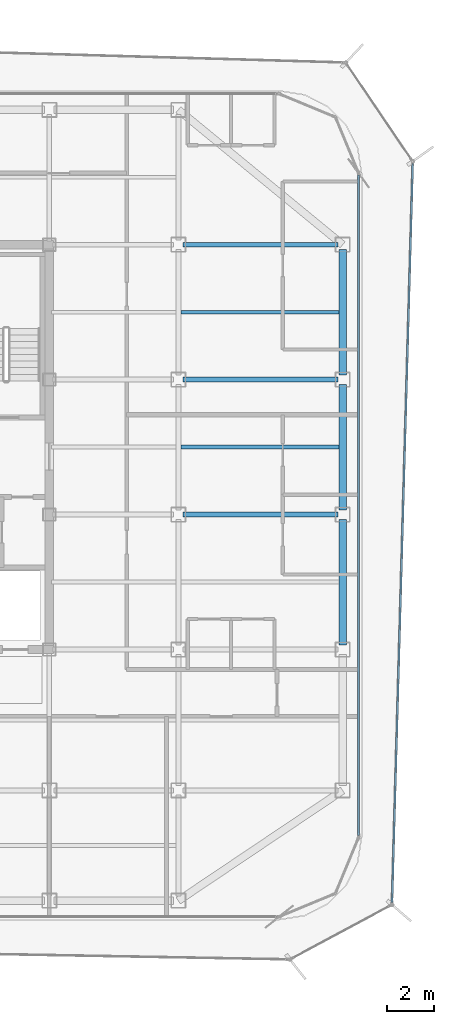
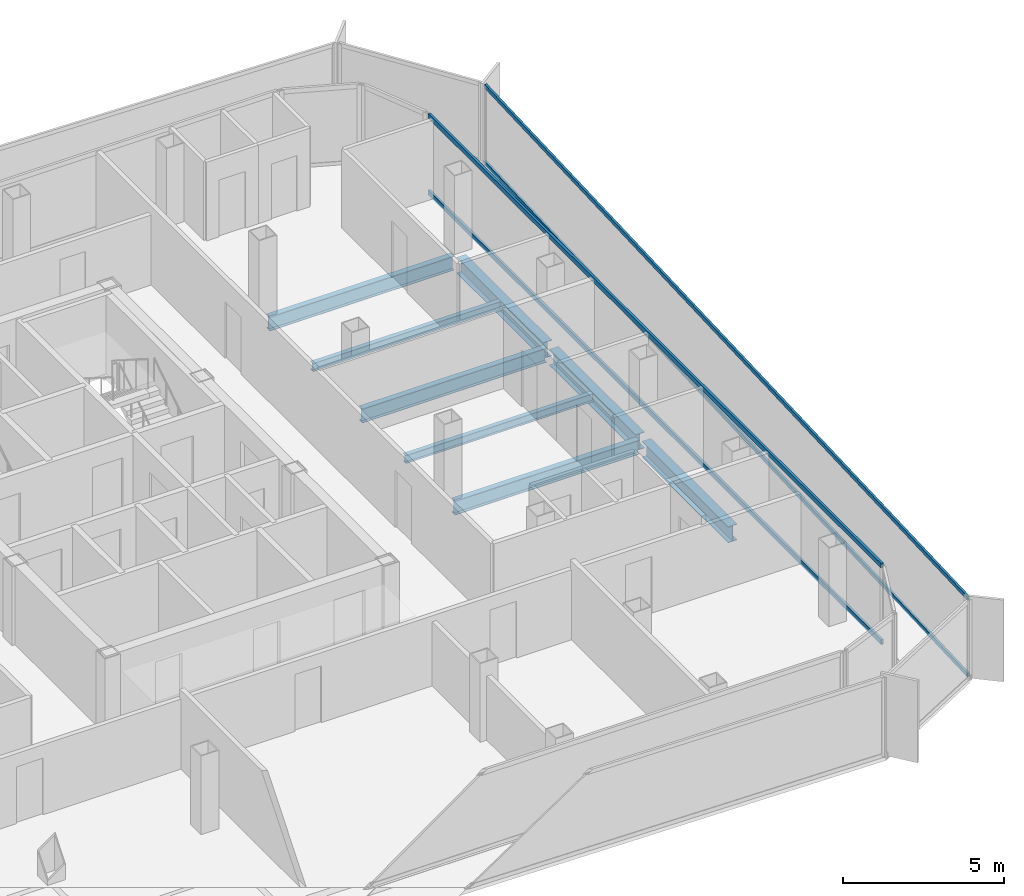
# One storey, part 5 of 14: 8 beams, 4 members, 2 elements without a shape of their own.
"""IFC4 building model written with IfcOpenShell, lengths in metres."""

from ifc_helpers import new_model, si_unit, direction, frame, origin, origin_2d, place, context, subcontext, project, spatial, hollow_rectangle, i_section, extrude, source, transform, mapped, material, layer, layer_set, material_profile, profile_set, type_object, element, aggregate, save


model = new_model("IFC4")

# Units and contexts
model_context = context("Model", 3, precision=1e-05, world=origin(), true_north=direction((0.0, 1.0)))
body_context = subcontext(model_context, "Body", "Model", "MODEL_VIEW")
ifc_project = project(units=[si_unit("LENGTHUNIT", "METRE"), si_unit("AREAUNIT", "SQUARE_METRE"), si_unit("VOLUMEUNIT", "CUBIC_METRE"), si_unit("PLANEANGLEUNIT", "RADIAN"), si_unit("MASSUNIT", "GRAM", prefix="KILO")], contexts=[model_context])

# Site, building, storey
site_placement = place(None, origin())
site = spatial("IfcSite", under=ifc_project, at=site_placement, CompositionType="ELEMENT")
building_placement = place(site_placement, origin())
building = spatial("IfcBuilding", under=site, at=building_placement, Name="Kolveth Station Tower", CompositionType="ELEMENT")
storey_placement = place(building_placement, frame((0.0, 0.0, 226.5)))
storey = spatial("IfcBuildingStorey", under=building, at=storey_placement, Name="L64", CompositionType="ELEMENT", Elevation=226.5)

# Beams
ifc_material_1 = material(Name="Steel S355", Category="steel")
ifc_material_profile_1 = material_profile(ifc_material_1, i_section(OverallWidth=0.323974609375, OverallDepth=0.611083984375, WebThickness=0.0126953125, FlangeThickness=0.01904296875, at=origin_2d()), Name="W610x155")
ifc_profile_set_1 = profile_set([ifc_material_profile_1], Name="Steel S355")
beam_type_1 = type_object("IfcBeamType", Name="Beam_SP2", PredefinedType="SPANDREL", material=ifc_profile_set_1)
shared_shape_1 = source(origin(), body_context, "Body", "SweptSolid", [
    extrude(i_section(OverallWidth=0.323974609375, OverallDepth=0.611083984375, WebThickness=0.0126953125, FlangeThickness=0.01904296875, at=origin_2d()), origin(), (0.0, 0.0, 1.0), 5.35009765625),
])
for number, where, z_axis, x_axis, name in (
    (1, (41.0, 11.699951171875, -0.525390625), (0.0, 1.0, 0.0), (-1.0, 0.0, 0.0), "L64 Perimeter Spandrel BM-L64-PE-2"),
    (2, (41.0, 17.449951171875, -0.525390625), (0.0, 1.0, 0.0), (-1.0, 0.0, 0.0), "L64 Perimeter Spandrel BM-L64-PE-3"),
    (3, (41.0, 23.199951171875, -0.525390625), (0.0, 1.0, 0.0), (-1.0, 0.0, 0.0), "L64 Perimeter Spandrel BM-L64-PE-4"),
):
    element("IfcBeam", number, at=place(storey_placement, frame(where, z_axis=z_axis, x_axis=x_axis)), inside=storey, type_object=beam_type_1, Name=name, PredefinedType="SPANDREL", context=body_context, shape_type="MappedRepresentation", body=[
        mapped(shared_shape_1, transform((0.0, 0.0, 0.0), x_axis=(1.0, 0.0, 0.0), y_axis=(0.0, 1.0, 0.0), z_axis=(0.0, 0.0, 1.0), scale=1.0)),
    ])
ifc_material_profile_2 = material_profile(ifc_material_1, i_section(OverallWidth=0.2099609375, OverallDepth=0.537109375, WebThickness=0.010986328125, FlangeThickness=0.017333984375, at=origin_2d()), Name="W530x101")
ifc_profile_set_2 = profile_set([ifc_material_profile_2], Name="Steel S355")
beam_type_2 = type_object("IfcBeamType", Name="Beam_B6", PredefinedType="BEAM", material=ifc_profile_set_2)
shared_shape_2 = source(origin(), body_context, "Body", "SweptSolid", [
    extrude(i_section(OverallWidth=0.2099609375, OverallDepth=0.537109375, WebThickness=0.010986328125, FlangeThickness=0.017333984375, at=origin_2d()), origin(), (0.0, 0.0, 1.0), 6.60009765625),
])
for number, where, z_axis, x_axis, name in (
    (4, (34.199951171875, 17.25, -0.488525390625), (1.0, 0.0, 0.0), (0.0, 1.0, 0.0), "L64 Primary Girder BM-L64-GY172-5"),
    (5, (34.199951171875, 23.0, -0.488525390625), (1.0, 0.0, 0.0), (0.0, 1.0, 0.0), "L64 Primary Girder BM-L64-GY230-5"),
    (6, (34.199951171875, 28.75, -0.488525390625), (1.0, 0.0, 0.0), (0.0, 1.0, 0.0), "L64 Primary Girder BM-L64-GY287-5"),
):
    element("IfcBeam", number, at=place(storey_placement, frame(where, z_axis=z_axis, x_axis=x_axis)), inside=storey, type_object=beam_type_2, Name=name, PredefinedType="BEAM", context=body_context, shape_type="MappedRepresentation", body=[
        mapped(shared_shape_2, transform((0.0, 0.0, 0.0), x_axis=(1.0, 0.0, 0.0), y_axis=(0.0, 1.0, 0.0), z_axis=(0.0, 0.0, 1.0), scale=1.0)),
    ])
ifc_material_profile_3 = material_profile(ifc_material_1, i_section(OverallWidth=0.1650390625, OverallDepth=0.31005859375, WebThickness=0.005859375, FlangeThickness=0.009765625, at=origin_2d()), Name="W310x39")
ifc_profile_set_3 = profile_set([ifc_material_profile_3], Name="Steel S355")
beam_type_3 = type_object("IfcBeamType", Name="Beam_J3", PredefinedType="JOIST", material=ifc_profile_set_3)
shared_shape_3 = source(origin(), body_context, "Body", "SweptSolid", [
    extrude(i_section(OverallWidth=0.1650390625, OverallDepth=0.31005859375, WebThickness=0.005859375, FlangeThickness=0.009765625, at=origin_2d()), origin(), (0.0, 0.0, 1.0), 6.737060546875),
])
for number, where, z_axis, x_axis, name in (
    (7, (34.10302734375, 20.125, -0.375), (1.0, 0.0, 0.0), (0.0, 1.0, 0.0), "L64 Secondary Joist JST-L64-5-4"),
    (8, (34.10302734375, 25.875, -0.375), (1.0, 0.0, 0.0), (0.0, 1.0, 0.0), "L64 Secondary Joist JST-L64-5-5"),
):
    element("IfcBeam", number, at=place(storey_placement, frame(where, z_axis=z_axis, x_axis=x_axis)), inside=storey, type_object=beam_type_3, Name=name, PredefinedType="JOIST", context=body_context, shape_type="MappedRepresentation", body=[
        mapped(shared_shape_3, transform((0.0, 0.0, 0.0), x_axis=(1.0, 0.0, 0.0), y_axis=(0.0, 1.0, 0.0), z_axis=(0.0, 0.0, 1.0), scale=1.0)),
    ])

# Curtain wall, members
ifc_material_2 = material(Name="Aluminium 6063-T6 and triple low-E dark glass", Category="aluminium")
ifc_layer_1 = layer(ifc_material_2, 0.199951171875)
ifc_layer_set_1 = layer_set([ifc_layer_1], Name="Aluminium 6063-T6 and triple low-E dark glass")
curtain_wall_type_1 = type_object("IfcCurtainWallType", Name="CurtainWall_CW-Z3", PredefinedType="NOTDEFINED", material=ifc_layer_set_1)
curtain_wall_1_placement = place(storey_placement, origin())
curtain_wall_1 = element("IfcCurtainWall", 9, at=curtain_wall_1_placement, inside=storey, type_object=curtain_wall_type_1, Name="L64 Inner Thermal Curtain Wall 3", PredefinedType="NOTDEFINED")
ifc_material_3 = material(Name="Black anodized aluminium 6063-T6", Category="aluminium")
ifc_material_profile_4 = material_profile(ifc_material_3, hollow_rectangle(XDim=0.0849609375, YDim=0.179931640625, WallThickness=0.0048828125, at=origin_2d()), Name="ALU-85x180x5")
ifc_profile_set_4 = profile_set([ifc_material_profile_4], Name="Black anodized aluminium 6063-T6")
member_type_1 = type_object("IfcMemberType", Name="Transom_TR3", PredefinedType="USERDEFINED", material=ifc_profile_set_4)
shared_shape_4 = source(origin(), body_context, "Body", "SweptSolid", [
    extrude(hollow_rectangle(XDim=0.0849609375, YDim=0.179931640625, WallThickness=0.0048828125, at=origin_2d()), origin(), (0.0, 0.0, 1.0), 28.130126953125),
])
member_1_placement = place(storey_placement, frame((41.679931640625, 3.5849609375, 0.04248046875), z_axis=(0.0, 1.0, 0.0), x_axis=(-1.0, 0.0, 0.0)))
member_1 = element("IfcMember", 10, at=member_1_placement, type_object=member_type_1, Name="CW-Z3 transom 1.1", ObjectType="TRANSOM", PredefinedType="USERDEFINED", context=body_context, shape_type="MappedRepresentation", body=[
    mapped(shared_shape_4, transform((0.0, 0.0, 0.0), x_axis=(1.0, 0.0, 0.0), y_axis=(0.0, 1.0, 0.0), z_axis=(0.0, 0.0, 1.0), scale=1.0)),
])
member_2_placement = place(storey_placement, frame((41.679931640625, 3.5849609375, 2.9375), z_axis=(0.0, 1.0, 0.0), x_axis=(-1.0, 0.0, 0.0)))
member_2 = element("IfcMember", 11, at=member_2_placement, type_object=member_type_1, Name="CW-Z3 transom 1.2", ObjectType="TRANSOM", PredefinedType="USERDEFINED", context=body_context, shape_type="MappedRepresentation", body=[
    mapped(shared_shape_4, transform((0.0, 0.0, 0.0), x_axis=(1.0, 0.0, 0.0), y_axis=(0.0, 1.0, 0.0), z_axis=(0.0, 0.0, 1.0), scale=1.0)),
])
aggregate(curtain_wall_1, [member_1, member_2])

ifc_material_4 = material(Name="Black anodized aluminium 6063-T6 and dark solar glass", Category="aluminium")
ifc_layer_2 = layer(ifc_material_4, 0.159912109375)
ifc_layer_set_2 = layer_set([ifc_layer_2], Name="Black anodized aluminium 6063-T6 and dark solar glass")
curtain_wall_type_2 = type_object("IfcCurtainWallType", Name="OUTER SKIN CW-OS", PredefinedType="NOTDEFINED", material=ifc_layer_set_2)
curtain_wall_2_placement = place(storey_placement, origin())
curtain_wall_2 = element("IfcCurtainWall", 12, at=curtain_wall_2_placement, inside=storey, type_object=curtain_wall_type_2, Name="L64 Outer Ventilated Skin Curtain Wall 2", PredefinedType="NOTDEFINED")
ifc_material_profile_5 = material_profile(ifc_material_3, hollow_rectangle(XDim=0.080078125, YDim=0.14990234375, WallThickness=0.0048828125, at=origin_2d()), Name="ALU-80x150x5")
ifc_profile_set_5 = profile_set([ifc_material_profile_5], Name="Black anodized aluminium 6063-T6")
member_type_2 = type_object("IfcMemberType", Name="Transom_TR-OS", PredefinedType="USERDEFINED", material=ifc_profile_set_5)
shared_shape_5 = source(origin(), body_context, "Body", "SweptSolid", [
    extrude(hollow_rectangle(XDim=0.080078125, YDim=0.14990234375, WallThickness=0.0048828125, at=origin_2d()), origin(), (0.0, 0.0, 1.0), 31.50634765625),
])
member_3_placement = place(storey_placement, frame((43.105712890625, 0.718017578125, 0.0400390625), z_axis=(0.027989247251, 0.999608224275, 0.0), x_axis=(-0.999608224275, 0.027989247251, 0.0)))
member_3 = element("IfcMember", 13, at=member_3_placement, type_object=member_type_2, Name="CW-OS transom 1.1", ObjectType="TRANSOM", PredefinedType="USERDEFINED", context=body_context, shape_type="MappedRepresentation", body=[
    mapped(shared_shape_5, transform((0.0, 0.0, 0.0), x_axis=(1.0, 0.0, 0.0), y_axis=(0.0, 1.0, 0.0), z_axis=(0.0, 0.0, 1.0), scale=1.0)),
])
member_4_placement = place(storey_placement, frame((43.105712890625, 0.718017578125, 2.949951171875), z_axis=(0.027989247251, 0.999608224275, 0.0), x_axis=(-0.999608224275, 0.027989247251, 0.0)))
member_4 = element("IfcMember", 14, at=member_4_placement, type_object=member_type_2, Name="CW-OS transom 1.2", ObjectType="TRANSOM", PredefinedType="USERDEFINED", context=body_context, shape_type="MappedRepresentation", body=[
    mapped(shared_shape_5, transform((0.0, 0.0, 0.0), x_axis=(1.0, 0.0, 0.0), y_axis=(0.0, 1.0, 0.0), z_axis=(0.0, 0.0, 1.0), scale=1.0)),
])
aggregate(curtain_wall_2, [member_3, member_4])

save(model, "model.ifc")
